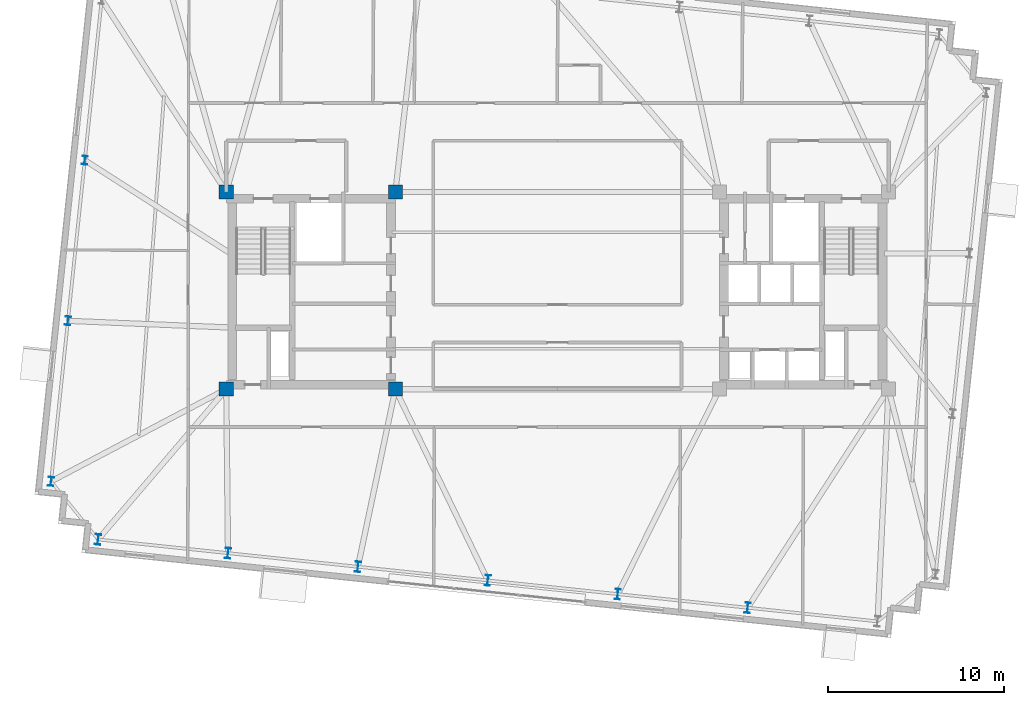
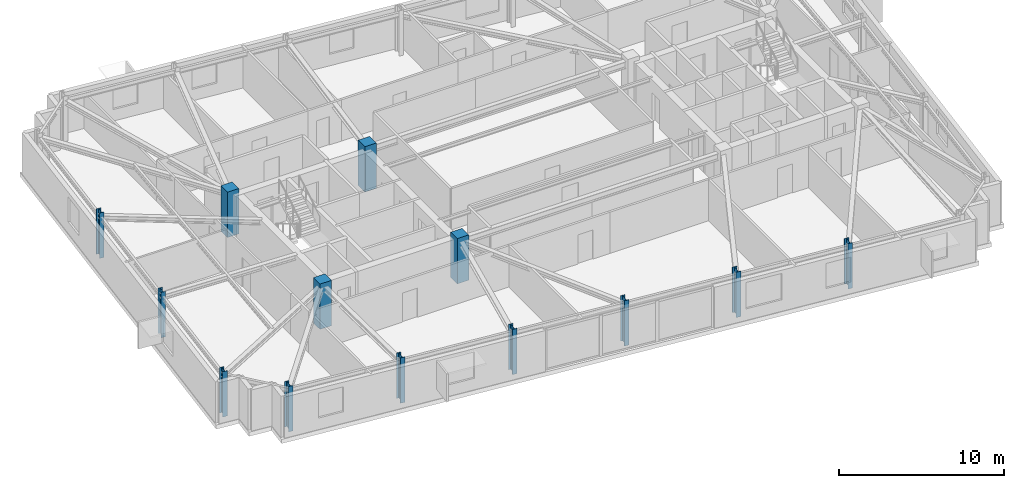
# One storey, part 1 of 12: 13 columns.
"""IFC4 building model written with IfcOpenShell, lengths in metres."""

from ifc_helpers import new_model, si_unit, direction, frame, origin, origin_2d, place, context, subcontext, project, spatial, rectangle, i_section, extrude, material, material_profile, profile_set, type_object, element, save


model = new_model("IFC4")

# Units and contexts
model_context = context("Model", 3, precision=1e-05, world=origin(), true_north=direction((0.0, 1.0)))
body_context = subcontext(model_context, "Body", "Model", "MODEL_VIEW")
ifc_project = project(units=[si_unit("LENGTHUNIT", "METRE"), si_unit("AREAUNIT", "SQUARE_METRE"), si_unit("VOLUMEUNIT", "CUBIC_METRE"), si_unit("PLANEANGLEUNIT", "RADIAN"), si_unit("MASSUNIT", "GRAM", prefix="KILO")], contexts=[model_context])

# Site, building, storey
site_placement = place(None, origin())
site = spatial("IfcSite", under=ifc_project, at=site_placement, CompositionType="ELEMENT")
building_placement = place(site_placement, origin())
building = spatial("IfcBuilding", under=site, at=building_placement, Name="Qobustan Lattice House", CompositionType="ELEMENT")
storey_placement = place(building_placement, frame((0.0, 0.0, 203.10009765625)))
storey = spatial("IfcBuildingStorey", under=building, at=storey_placement, Name="L57", CompositionType="ELEMENT", Elevation=203.10009765625)

# Columns
ifc_material_1 = material(Name="Concrete C50/60", Category="concrete")
ifc_material_profile_1 = material_profile(ifc_material_1, rectangle(XDim=0.800048828125, YDim=0.800048828125, at=origin_2d()), Name="RC800x800")
ifc_profile_set_1 = profile_set([ifc_material_profile_1], Name="Concrete C50/60")
column_type_1 = type_object("IfcColumnType", Name="COL-RC-800", PredefinedType="COLUMN", material=ifc_profile_set_1)
for number, where, z_axis, x_axis, name in (
    (1, (-18.800048828125, -5.60009765625, 0.0), (0.0, 0.0, 1.0), (1.0, 0.0, 0.0), "L57 core mega-column CW-SW"),
    (2, (-18.800048828125, 5.60009765625, 0.0), (0.0, 0.0, 1.0), (1.0, 0.0, 0.0), "L57 core mega-column CW-NW"),
    (3, (-9.199951171875, -5.60009765625, 0.0), (0.0, 0.0, 1.0), (1.0, 0.0, 0.0), "L57 core mega-column CW-SE"),
    (4, (-9.199951171875, 5.60009765625, 0.0), (0.0, 0.0, 1.0), (1.0, 0.0, 0.0), "L57 core mega-column CW-NE"),
):
    element("IfcColumn", number, at=place(storey_placement, frame(where, z_axis=z_axis, x_axis=x_axis)), inside=storey, type_object=column_type_1, Name=name, PredefinedType="COLUMN", context=body_context, shape_type="SweptSolid", body=[
        extrude(rectangle(XDim=0.800048828125, YDim=0.800048828125, at=origin_2d()), origin(), (0.0, 0.0, 1.0), 3.349853515625),
    ])
ifc_material_2 = material(Name="Steel S355", Category="steel")
ifc_material_profile_2 = material_profile(ifc_material_2, i_section(OverallWidth=0.300048828125, OverallDepth=0.5, WebThickness=0.014404296875, FlangeThickness=0.028076171875, FilletRadius=0.027099609375, at=origin_2d()), Name="HEB500")
ifc_profile_set_2 = profile_set([ifc_material_profile_2], Name="Steel S355")
column_type_2 = type_object("IfcColumnType", Name="COL-ST-HEB500", PredefinedType="COLUMN", material=ifc_profile_set_2)
for number, where, z_axis, x_axis, name in (
    (5, (-26.83251953125, 7.397705078125, 0.0), (0.0, 0.0, 1.0), (0.994521895368, -0.104528463268, 0.0), "L57 B4 perimeter column W2"),
    (6, (-27.790771484375, -1.718994140625, 0.0), (0.0, 0.0, 1.0), (0.994521895368, -0.104528463268, 0.0), "L57 B4 perimeter column W3"),
    (7, (-28.748779296875, -10.835205078125, 0.0), (0.0, 0.0, 1.0), (0.994521895368, -0.104528463268, 0.0), "L57 B4 perimeter column W4"),
):
    element("IfcColumn", number, at=place(storey_placement, frame(where, z_axis=z_axis, x_axis=x_axis)), inside=storey, type_object=column_type_2, Name=name, PredefinedType="COLUMN", context=body_context, shape_type="SweptSolid", body=[
        extrude(i_section(OverallWidth=0.300048828125, OverallDepth=0.5, WebThickness=0.014404296875, FlangeThickness=0.028076171875, FilletRadius=0.027099609375, at=origin_2d()), origin(), (0.0, 0.0, 1.0), 3.349853515625),
    ])
ifc_material_3 = material(Name="Steel S355", Category="steel")
ifc_material_profile_3 = material_profile(ifc_material_3, i_section(OverallWidth=0.300048828125, OverallDepth=0.60009765625, WebThickness=0.015380859375, FlangeThickness=0.030029296875, FilletRadius=0.027099609375, at=origin_2d()), Name="HEB600")
ifc_profile_set_3 = profile_set([ifc_material_profile_3], Name="Steel S355")
column_type_3 = type_object("IfcColumnType", Name="COL-ST-HEB600", PredefinedType="COLUMN", material=ifc_profile_set_3)
for number, where, z_axis, x_axis, name in (
    (8, (-26.0791015625, -14.132568359375, 0.0), (0.0, 0.0, 1.0), (0.994521895368, -0.104528463268, 0.0), "L57 B4 perimeter column S1"),
    (9, (-18.702880859375, -14.90771484375, 0.0), (0.0, 0.0, 1.0), (0.994521895368, -0.104528463268, 0.0), "L57 B4 perimeter column S2"),
    (10, (-11.326904296875, -15.68310546875, 0.0), (0.0, 0.0, 1.0), (0.994521895368, -0.104528463268, 0.0), "L57 B4 perimeter column S3"),
    (11, (-3.950927734375, -16.458251953125, 0.0), (0.0, 0.0, 1.0), (0.994521895368, -0.104528463268, 0.0), "L57 B4 perimeter column S4"),
    (12, (3.42529296875, -17.2333984375, 0.0), (0.0, 0.0, 1.0), (0.994521895368, -0.104528463268, 0.0), "L57 B4 perimeter column S5"),
    (13, (10.80126953125, -18.0087890625, 0.0), (0.0, 0.0, 1.0), (0.994521895368, -0.104528463268, 0.0), "L57 B4 perimeter column S6"),
):
    element("IfcColumn", number, at=place(storey_placement, frame(where, z_axis=z_axis, x_axis=x_axis)), inside=storey, type_object=column_type_3, Name=name, PredefinedType="COLUMN", context=body_context, shape_type="SweptSolid", body=[
        extrude(i_section(OverallWidth=0.300048828125, OverallDepth=0.60009765625, WebThickness=0.015380859375, FlangeThickness=0.030029296875, FilletRadius=0.027099609375, at=origin_2d()), origin(), (0.0, 0.0, 1.0), 3.349853515625),
    ])

save(model, "model.ifc")
